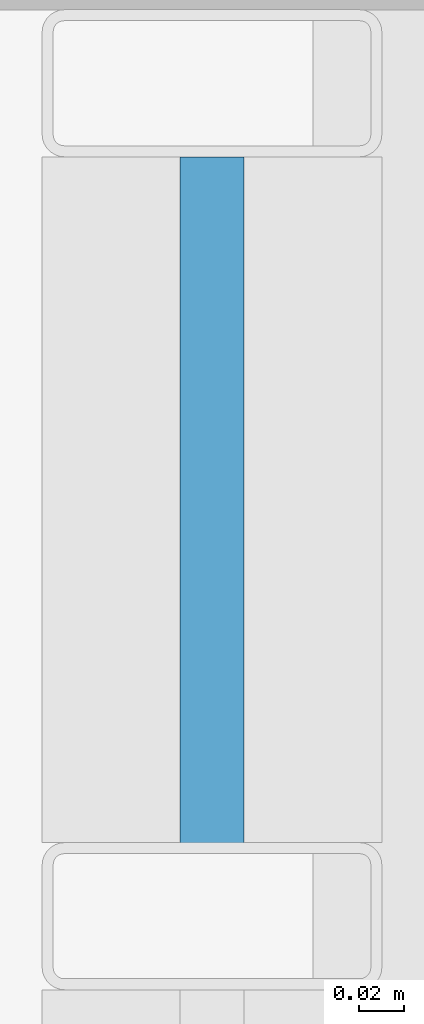
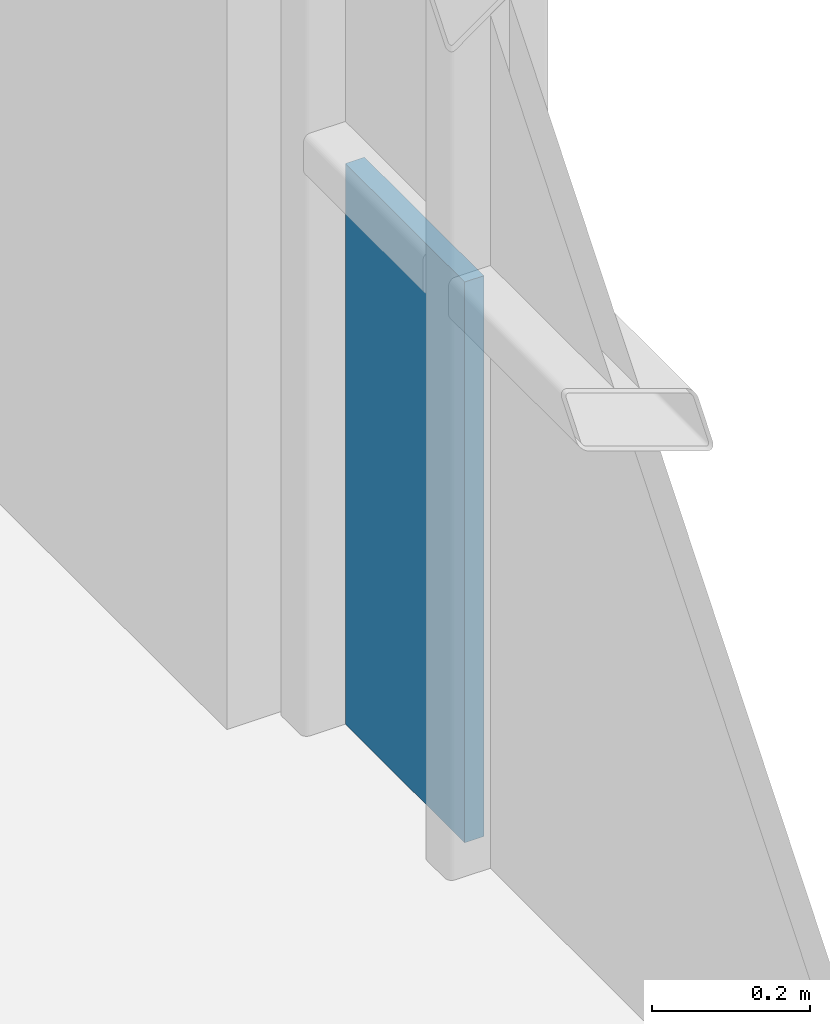
# One storey, part 30 of 41: 1 plate, 1 element without a shape of its own.
"""IFC4 building model written with IfcOpenShell, lengths in metres."""

from ifc_helpers import new_model, si_unit, direction, frame, origin, origin_2d, place, context, subcontext, project, spatial, rectangle, extrude, material, layer, layer_set, type_object, element, aggregate, save


model = new_model("IFC4")

# Units and contexts
model_context = context("Model", 3, precision=1e-05, world=origin(), true_north=direction((0.0, 1.0)))
body_context = subcontext(model_context, "Body", "Model", "MODEL_VIEW")
ifc_project = project(units=[si_unit("LENGTHUNIT", "METRE"), si_unit("AREAUNIT", "SQUARE_METRE"), si_unit("VOLUMEUNIT", "CUBIC_METRE"), si_unit("PLANEANGLEUNIT", "RADIAN"), si_unit("MASSUNIT", "GRAM", prefix="KILO")], contexts=[model_context])

# Site, building, storey
site_placement = place(None, origin())
site = spatial("IfcSite", under=ifc_project, at=site_placement, CompositionType="ELEMENT")
building_placement = place(site_placement, origin())
building = spatial("IfcBuilding", under=site, at=building_placement, Name="Brevholm Reach", CompositionType="ELEMENT")
storey_placement = place(building_placement, frame((0.0, 0.0, 49.699951171875)))
storey = spatial("IfcBuildingStorey", under=building, at=storey_placement, Name="L13", CompositionType="ELEMENT", Elevation=49.699951171875)

# Curtain wall, plate
ifc_material_1 = material(Name="Dark Anodised Aluminium 6063-T6 and Solar-Control Glass", Category="aluminium")
ifc_layer_1 = layer(ifc_material_1, 0.14990234375)
ifc_layer_set_1 = layer_set([ifc_layer_1], Name="Dark Anodised Aluminium 6063-T6 and Solar-Control Glass")
curtain_wall_type = type_object("IfcCurtainWallType", Name="CW-01", PredefinedType="NOTDEFINED", material=ifc_layer_set_1)
curtain_wall_placement = place(storey_placement, origin())
curtain_wall = element("IfcCurtainWall", 1, at=curtain_wall_placement, inside=storey, type_object=curtain_wall_type, Name="L13 Curtain Wall CW-01", PredefinedType="NOTDEFINED")
ifc_material_2 = material(Name="Dark Solar-Control Double-Glazed IGU Glass", Category="glass")
ifc_layer_2 = layer(ifc_material_2, 0.028076171875)
ifc_layer_set_2 = layer_set([ifc_layer_2], Name="Dark Solar-Control Double-Glazed IGU Glass")
plate_type = type_object("IfcPlateType", Name="CWP-GLZ-28", PredefinedType="CURTAIN_PANEL", material=ifc_layer_set_2)
plate_placement = place(storey_placement, frame((59.85009765625, 22.733642578125, 0.0), z_axis=(0.0, 0.0, 1.0), x_axis=(0.0, 1.0, 0.0)))
plate = element("IfcPlate", 2, at=plate_placement, type_object=plate_type, Name="CP-01 Glazing Panel 5.1", PredefinedType="CURTAIN_PANEL", context=body_context, shape_type="SweptSolid", body=[
    extrude(rectangle(XDim=0.302490234375, YDim=0.028076171875, at=origin_2d()), origin(), (0.0, 0.0, 1.0), 0.867431640625),
])
aggregate(curtain_wall, [plate])

save(model, "model.ifc")
